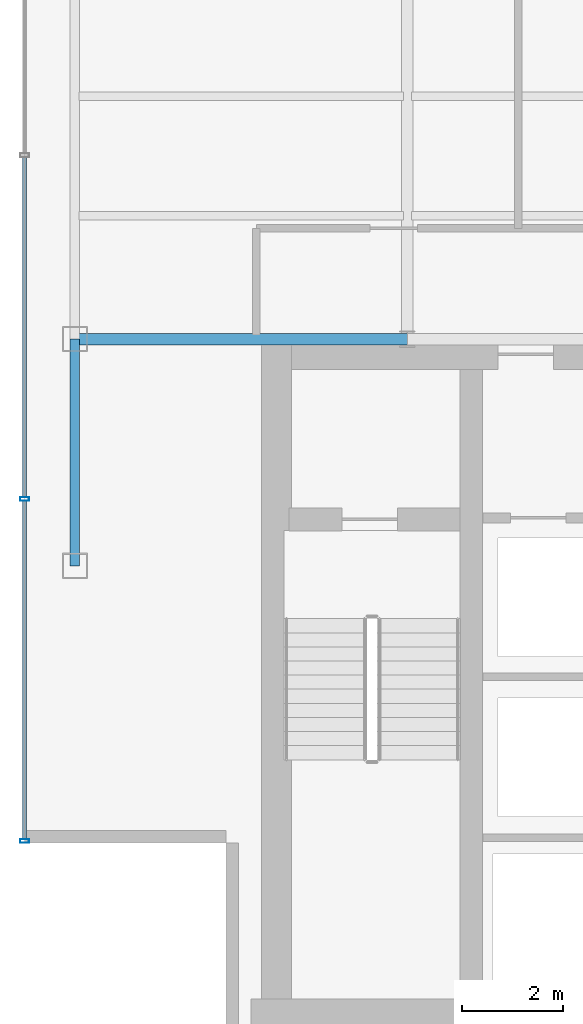
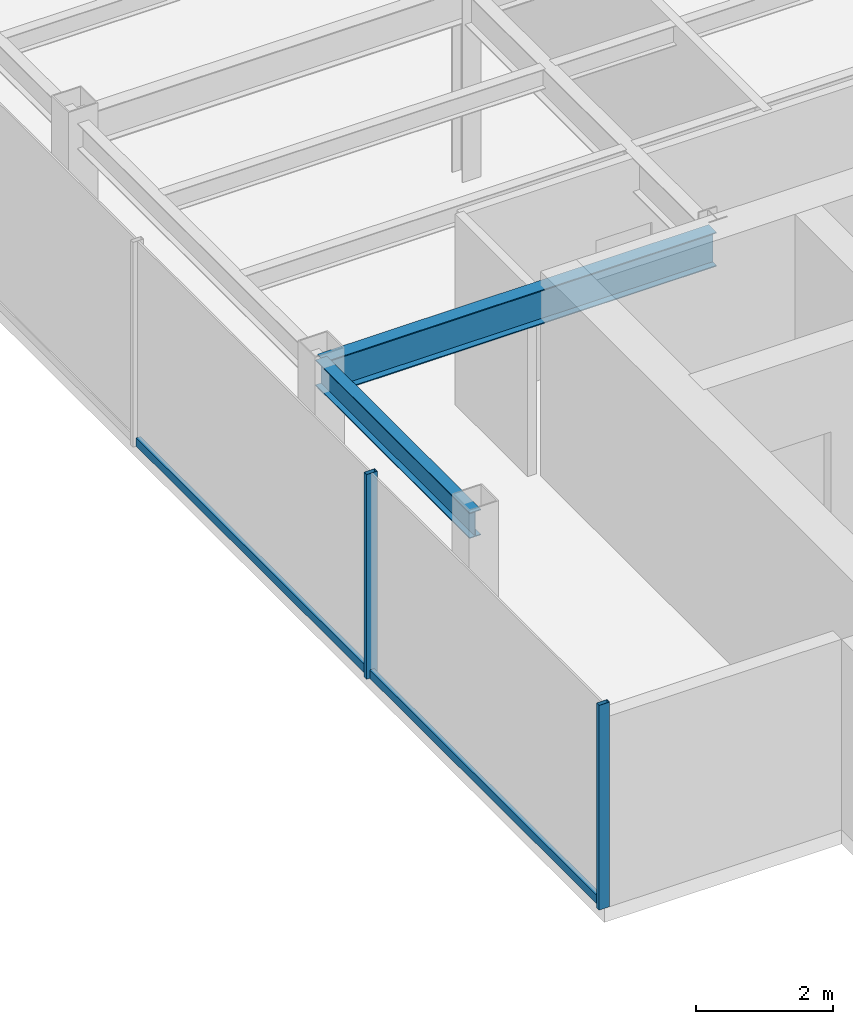
# One storey, part 3 of 22: 4 members, 2 beams, 1 element without a shape of its own.
"""IFC4 building model written with IfcOpenShell, lengths in metres."""

from ifc_helpers import new_model, si_unit, derived_unit, direction, frame, origin, origin_2d, place, context, subcontext, project, spatial, hollow_rectangle, i_section, extrude, source, transform, mapped, material, material_profile, profile_set, type_object, element, aggregate, save


model = new_model("IFC4")

# Units and contexts
model_context = context("Model", 3, precision=1e-05, world=origin(), true_north=direction((0.0, 1.0)))
body_context = subcontext(model_context, "Body", "Model", "MODEL_VIEW")
ifc_project = project(units=[si_unit("LENGTHUNIT", "METRE"), si_unit("AREAUNIT", "SQUARE_METRE"), si_unit("VOLUMEUNIT", "CUBIC_METRE"), si_unit("PLANEANGLEUNIT", "RADIAN"), si_unit("MASSUNIT", "GRAM", prefix="KILO"), derived_unit("THERMALTRANSMITTANCEUNIT", [(si_unit("POWERUNIT", "WATT"), 1), (si_unit("LENGTHUNIT", "METRE"), -2), (si_unit("THERMODYNAMICTEMPERATUREUNIT", "KELVIN"), -1)])], contexts=[model_context])

# Site, building, storey
site_placement = place(None, origin())
site = spatial("IfcSite", under=ifc_project, at=site_placement, CompositionType="ELEMENT")
building_placement = place(site_placement, origin())
building = spatial("IfcBuilding", under=site, at=building_placement, Name="Skarnbrae Concourse Arena and Tower", CompositionType="ELEMENT")
storey_placement = place(building_placement, frame((0.0, 0.0, 225.10009765625)))
storey = spatial("IfcBuildingStorey", under=building, at=storey_placement, Name="L58", CompositionType="ELEMENT", Elevation=225.10009765625)

# Beams
ifc_material_1 = material(Name="Steel CSA G40.21 350W", Category="steel")
ifc_material_profile_1 = material_profile(ifc_material_1, i_section(OverallWidth=0.22802734375, OverallDepth=0.60791015625, WebThickness=0.01123046875, FlangeThickness=0.017333984375, at=origin_2d()), Name="W610X113")
ifc_profile_set_1 = profile_set([ifc_material_profile_1], Name="Steel CSA G40.21 350W")
beam_type_1 = type_object("IfcBeamType", Name="BM-GIRD-W610X113", PredefinedType="BEAM", material=ifc_profile_set_1)
shared_shape_1 = source(origin(), body_context, "Body", "SweptSolid", [
    extrude(i_section(OverallWidth=0.22802734375, OverallDepth=0.60791015625, WebThickness=0.01123046875, FlangeThickness=0.017333984375, at=origin_2d()), origin(), (0.0, 0.0, 1.0), 6.60009765625),
])
beam_1_placement = place(storey_placement, frame((1.0, 14.0, 3.095947265625), z_axis=(1.0, 0.0, 0.0), x_axis=(0.0, 1.0, 0.0)))
element("IfcBeam", 1, at=beam_1_placement, inside=storey, type_object=beam_type_1, Name="L58 Primary E-W girder Y14.0-1", PredefinedType="BEAM", context=body_context, shape_type="MappedRepresentation", body=[
    mapped(shared_shape_1, transform((0.0, 0.0, 0.0))),
])
ifc_material_profile_2 = material_profile(ifc_material_1, i_section(OverallWidth=0.19091796875, OverallDepth=0.4599609375, WebThickness=0.010009765625, FlangeThickness=0.01611328125, at=origin_2d()), Name="W460X82")
ifc_profile_set_2 = profile_set([ifc_material_profile_2], Name="Steel CSA G40.21 350W")
beam_type_2 = type_object("IfcBeamType", Name="BM-SPAN-W460X82", PredefinedType="SPANDREL", material=ifc_profile_set_2)
shared_shape_2 = source(origin(), body_context, "Body", "SweptSolid", [
    extrude(i_section(OverallWidth=0.19091796875, OverallDepth=0.4599609375, WebThickness=0.010009765625, FlangeThickness=0.01611328125, at=origin_2d()), origin(), (0.0, 0.0, 1.0), 4.5),
])
beam_2_placement = place(storey_placement, frame((1.0, 9.5, 3.169921875), z_axis=(0.0, 1.0, 0.0), x_axis=(-1.0, 0.0, 0.0)))
element("IfcBeam", 2, at=beam_2_placement, inside=storey, type_object=beam_type_2, Name="L58 Perimeter spandrel X1.0-1", PredefinedType="SPANDREL", context=body_context, shape_type="MappedRepresentation", body=[
    mapped(shared_shape_2, transform((0.0, 0.0, 0.0))),
])

# Curtain wall, members
ifc_material_2 = material(Name="Bronze anodised aluminium 6063-T6", Category="aluminium")
curtain_wall_type = type_object("IfcCurtainWallType", Name="CW-SYS-05-HIGHZONE", PredefinedType="USERDEFINED", material=ifc_material_2)
curtain_wall_placement = place(storey_placement, origin())
curtain_wall = element("IfcCurtainWall", 3, at=curtain_wall_placement, inside=storey, type_object=curtain_wall_type, Name="L58 Unitised curtain wall CW-L58-E18", ObjectType="UNITISED CURTAIN WALL", PredefinedType="USERDEFINED")
ifc_material_profile_3 = material_profile(ifc_material_2, hollow_rectangle(XDim=0.074951171875, YDim=0.179931640625, WallThickness=0.00390625, at=origin_2d()), Name="ALU-MULL-75X180")
ifc_profile_set_3 = profile_set([ifc_material_profile_3], Name="Bronze anodised aluminium 6063-T6")
member_type_1 = type_object("IfcMemberType", Name="CWM-CW-05", PredefinedType="MULLION", material=ifc_profile_set_3)
shared_shape_3 = source(origin(), body_context, "Body", "SweptSolid", [
    extrude(hollow_rectangle(XDim=0.074951171875, YDim=0.179931640625, WallThickness=0.00390625, at=origin_2d()), origin(), (0.0, 0.0, 1.0), 3.64990234375),
])
member_1_placement = place(storey_placement, frame((0.0, 10.824951171875, 0.0), z_axis=(0.0, 0.0, 1.0), x_axis=(0.0, -1.0, 0.0)))
member_1 = element("IfcMember", 4, at=member_1_placement, type_object=member_type_1, Name="CW-L58-E18 Mullion 4", PredefinedType="MULLION", context=body_context, shape_type="MappedRepresentation", body=[
    mapped(shared_shape_3, transform((0.0, 0.0, 0.0))),
])
member_2_placement = place(storey_placement, frame((0.0, 4.03759765625, 0.0), z_axis=(0.0, 0.0, 1.0), x_axis=(0.0, -1.0, 0.0)))
member_2 = element("IfcMember", 5, at=member_2_placement, type_object=member_type_1, Name="CW-L58-E18 Mullion 5", PredefinedType="MULLION", context=body_context, shape_type="MappedRepresentation", body=[
    mapped(shared_shape_3, transform((0.0, 0.0, 0.0))),
])
ifc_material_profile_4 = material_profile(ifc_material_2, hollow_rectangle(XDim=0.074951171875, YDim=0.14990234375, WallThickness=0.00390625, at=origin_2d()), Name="ALU-TRAN-75X150")
ifc_profile_set_4 = profile_set([ifc_material_profile_4], Name="Bronze anodised aluminium 6063-T6")
member_type_2 = type_object("IfcMemberType", Name="CWT-CW-05", PredefinedType="USERDEFINED", material=ifc_profile_set_4)
shared_shape_4 = source(origin(), body_context, "Body", "SweptSolid", [
    extrude(hollow_rectangle(XDim=0.074951171875, YDim=0.14990234375, WallThickness=0.00390625, at=origin_2d()), origin(), (0.0, 0.0, 1.0), 6.712646484375),
])
member_3_placement = place(storey_placement, frame((0.0, 10.78759765625, 0.074951171875), z_axis=(0.0, -1.0, 0.0), x_axis=(1.0, 0.0, 0.0)))
member_3 = element("IfcMember", 6, at=member_3_placement, type_object=member_type_2, Name="CW-L58-E18 Transom 4", ObjectType="TRANSOM", PredefinedType="USERDEFINED", context=body_context, shape_type="MappedRepresentation", body=[
    mapped(shared_shape_4, transform((0.0, 0.0, 0.0))),
])
shared_shape_5 = source(origin(), body_context, "Body", "SweptSolid", [
    extrude(hollow_rectangle(XDim=0.074951171875, YDim=0.14990234375, WallThickness=0.00390625, at=origin_2d()), origin(), (0.0, 0.0, 1.0), 6.75),
])
member_4_placement = place(storey_placement, frame((0.0, 17.612548828125, 0.074951171875), z_axis=(0.0, -1.0, 0.0), x_axis=(1.0, 0.0, 0.0)))
member_4 = element("IfcMember", 7, at=member_4_placement, type_object=member_type_2, Name="CW-L58-E18 Transom 3", ObjectType="TRANSOM", PredefinedType="USERDEFINED", context=body_context, shape_type="MappedRepresentation", body=[
    mapped(shared_shape_5, transform((0.0, 0.0, 0.0))),
])
aggregate(curtain_wall, [member_1, member_2, member_4, member_3])

save(model, "model.ifc")
